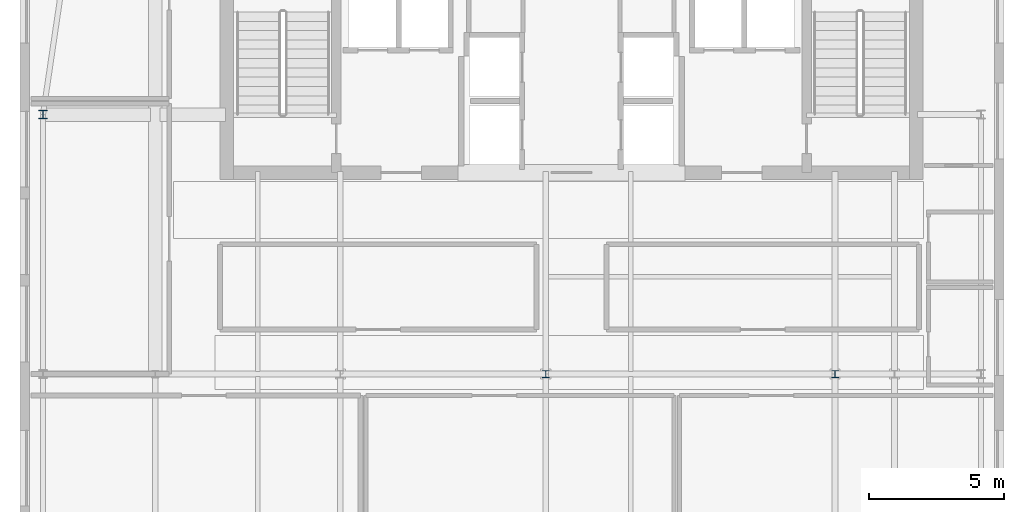
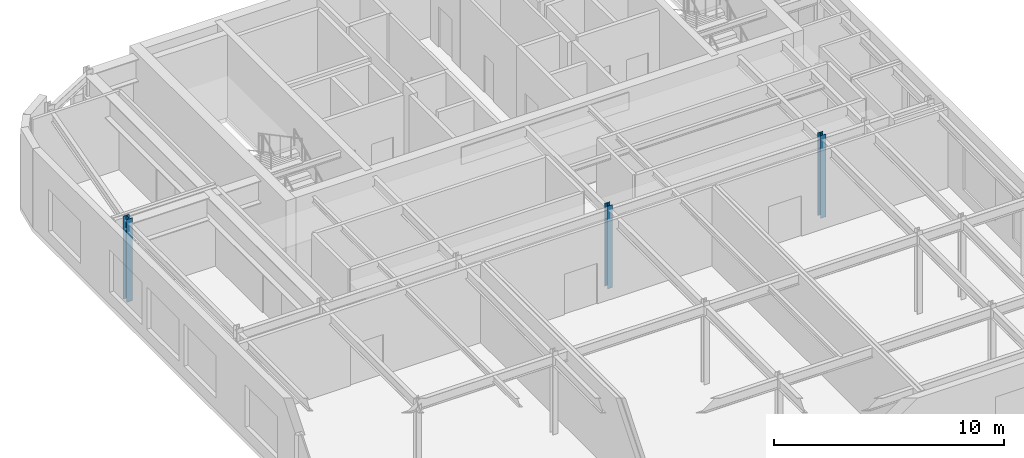
# One storey, part 2 of 10: 3 columns.
"""IFC4 building model written with IfcOpenShell, lengths in metres."""

from ifc_helpers import new_model, si_unit, direction, frame, origin, origin_2d, place, context, subcontext, project, spatial, i_section, extrude, source, transform, mapped, material, material_profile, profile_set, type_object, type_shapes, element, save


model = new_model("IFC4")

# Units and contexts
model_context = context("Model", 3, precision=1e-05, world=origin(), true_north=direction((0.0, 1.0)))
body_context = subcontext(model_context, "Body", "Model", "MODEL_VIEW")
ifc_project = project(units=[si_unit("LENGTHUNIT", "METRE"), si_unit("AREAUNIT", "SQUARE_METRE"), si_unit("VOLUMEUNIT", "CUBIC_METRE"), si_unit("PLANEANGLEUNIT", "RADIAN"), si_unit("MASSUNIT", "GRAM", prefix="KILO")], contexts=[model_context])

# Site, building, storey
site_placement = place(None, origin())
site = spatial("IfcSite", under=ifc_project, at=site_placement, CompositionType="ELEMENT")
building_placement = place(site_placement, origin())
building = spatial("IfcBuilding", under=site, at=building_placement, Name="Tolvann Quenvar Hotel", CompositionType="ELEMENT")
storey_placement = place(building_placement, frame((0.0, 0.0, 282.14990234375)))
storey = spatial("IfcBuildingStorey", under=building, at=storey_placement, Name="L75", CompositionType="ELEMENT", Elevation=282.14990234375)

# Columns
ifc_material = material(Name="Steel Grade 350", Category="steel")
ifc_material_profile_1 = material_profile(ifc_material, i_section(OverallWidth=0.306884765625, OverallDepth=0.31494140625, WebThickness=0.011962890625, FlangeThickness=0.018798828125, FilletRadius=0.0166015625, at=origin_2d()), Name="310UC118")
ifc_profile_set_1 = profile_set([ifc_material_profile_1], Name="Steel Grade 350")
column_type_1 = type_object("IfcColumnType", Name="COL_310UC118", PredefinedType="COLUMN", material=ifc_profile_set_1)
shared_shape_1 = source(origin(), body_context, "Body", "SweptSolid", [
    extrude(i_section(OverallWidth=0.306884765625, OverallDepth=0.31494140625, WebThickness=0.011962890625, FlangeThickness=0.018798828125, FilletRadius=0.0166015625, at=origin_2d()), origin(), (0.0, 0.0, 1.0), 4.400146484375),
])
type_shapes(column_type_1, [shared_shape_1])
column_placement = place(storey_placement, frame((3.449951171875, 34.0, 0.0), z_axis=(0.0, 0.0, 1.0), x_axis=(1.0, 0.0, 0.0)))
element("IfcColumn", 1, at=column_placement, inside=storey, type_object=column_type_1, Name="Column BD6 (L75)", PredefinedType="COLUMN", context=body_context, shape_type="MappedRepresentation", body=[
    mapped(shared_shape_1, transform((0.0, 0.0, 0.0), x_axis=(1.0, 0.0, 0.0), y_axis=(0.0, 1.0, 0.0), z_axis=(0.0, 0.0, 1.0), scale=1.0)),
])
ifc_material_profile_2 = material_profile(ifc_material, i_section(OverallWidth=0.256103515625, OverallDepth=0.260009765625, WebThickness=0.010498046875, FlangeThickness=0.017333984375, FilletRadius=0.013916015625, at=origin_2d()), Name="250UC90")
ifc_profile_set_2 = profile_set([ifc_material_profile_2], Name="Steel Grade 350")
column_type_2 = type_object("IfcColumnType", Name="COL_250UC90", PredefinedType="COLUMN", material=ifc_profile_set_2)
shared_shape_2 = source(origin(), body_context, "Body", "SweptSolid", [
    extrude(i_section(OverallWidth=0.256103515625, OverallDepth=0.260009765625, WebThickness=0.010498046875, FlangeThickness=0.017333984375, FilletRadius=0.013916015625, at=origin_2d()), origin(), (0.0, 0.0, 1.0), 4.400146484375),
])
type_shapes(column_type_2, [shared_shape_2])
for number, where, z_axis, x_axis, name in (
    (2, (22.050048828125, 24.39990234375, 0.0), (0.0, 0.0, 1.0), (1.0, 0.0, 0.0), "Column E5 (L75)"),
    (3, (32.75, 24.39990234375, 0.0), (0.0, 0.0, 1.0), (1.0, 0.0, 0.0), "Column FP5 (L75)"),
):
    element("IfcColumn", number, at=place(storey_placement, frame(where, z_axis=z_axis, x_axis=x_axis)), inside=storey, type_object=column_type_2, Name=name, PredefinedType="COLUMN", context=body_context, shape_type="MappedRepresentation", body=[
        mapped(shared_shape_2, transform((0.0, 0.0, 0.0), x_axis=(1.0, 0.0, 0.0), y_axis=(0.0, 1.0, 0.0), z_axis=(0.0, 0.0, 1.0), scale=1.0)),
    ])

save(model, "model.ifc")
